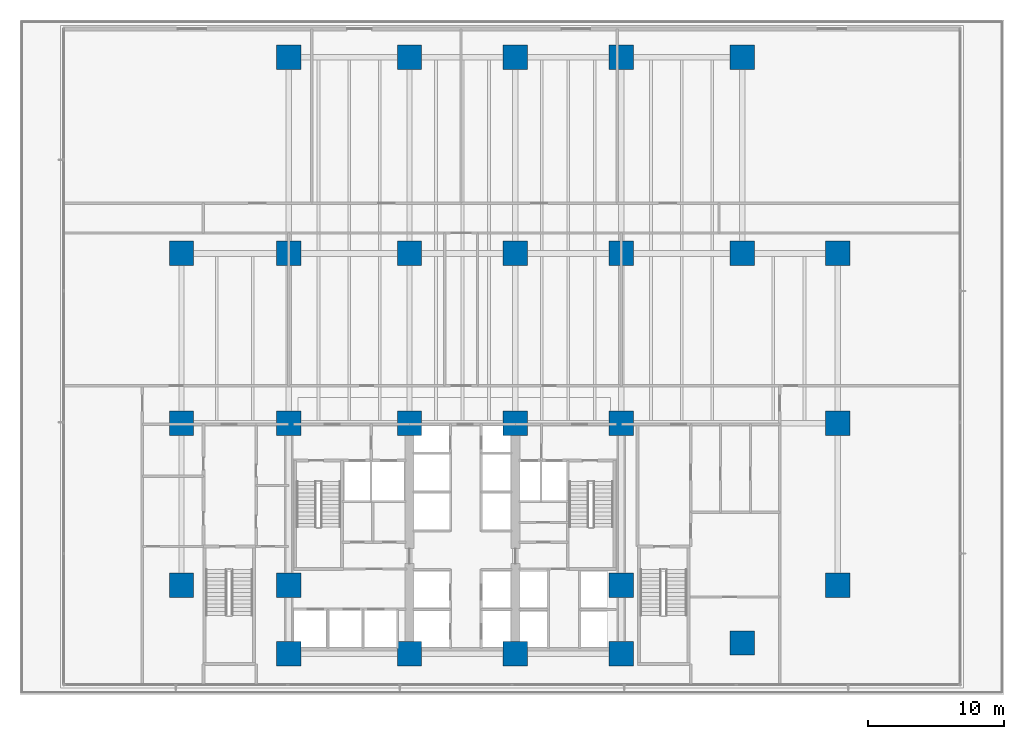
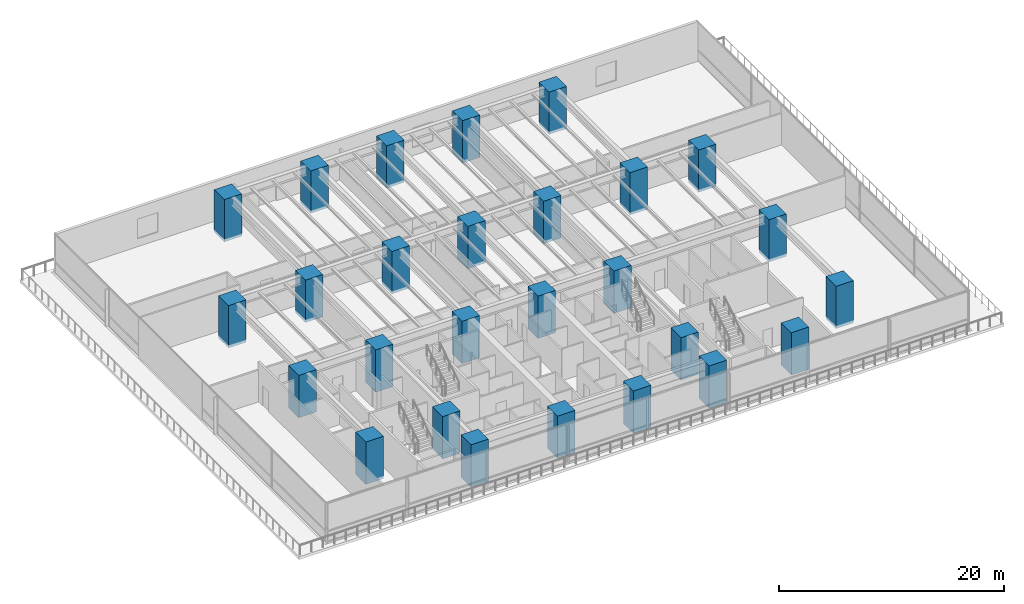
# One storey, part 1 of 24: 27 columns.
"""IFC4 building model written with IfcOpenShell, lengths in metres."""

from ifc_helpers import new_model, si_unit, direction, frame, origin, origin_2d, place, context, subcontext, project, spatial, rectangle, extrude, material, material_profile, profile_set, type_object, element, save


model = new_model("IFC4")

# Units and contexts
model_context = context("Model", 3, precision=1e-05, world=origin(), true_north=direction((0.0, 1.0)))
body_context = subcontext(model_context, "Body", "Model", "MODEL_VIEW")
ifc_project = project(units=[si_unit("LENGTHUNIT", "METRE"), si_unit("AREAUNIT", "SQUARE_METRE"), si_unit("VOLUMEUNIT", "CUBIC_METRE"), si_unit("PLANEANGLEUNIT", "RADIAN"), si_unit("MASSUNIT", "GRAM", prefix="KILO")], contexts=[model_context])

# Site, building, storey
site_placement = place(None, origin())
site = spatial("IfcSite", under=ifc_project, at=site_placement, CompositionType="ELEMENT")
building_placement = place(site_placement, origin())
building = spatial("IfcBuilding", under=site, at=building_placement, Name="Qalmaran Belvedere Hotel", CompositionType="ELEMENT")
storey_placement = place(building_placement, frame((0.0, 0.0, 14.60009765625)))
storey = spatial("IfcBuildingStorey", under=building, at=storey_placement, Name="L03", CompositionType="ELEMENT", Elevation=14.60009765625)

# Columns
ifc_material = material(Name="Concrete C60/75", Category="concrete")
ifc_material_profile = material_profile(ifc_material, rectangle(XDim=1.800048828125, YDim=1.800048828125, at=origin_2d()), Name="MC1800X1800")
ifc_profile_set = profile_set([ifc_material_profile], Name="Concrete C60/75")
column_type = type_object("IfcColumnType", Name="COL-POD-MC1800", PredefinedType="COLUMN", material=ifc_profile_set)
for number, where, z_axis, x_axis, name in (
    (1, (20.300048828125, 3.5, -0.300048828125), (0.0, 0.0, 1.0), (1.0, 0.0, 0.0), "L03 Column C4B"),
    (2, (29.199951171875, 3.5, -0.300048828125), (0.0, 0.0, 1.0), (1.0, 0.0, 0.0), "L03 Column C5B"),
    (3, (37.0, 3.5, -0.300048828125), (0.0, 0.0, 1.0), (1.0, 0.0, 0.0), "L03 Column C6B"),
    (4, (44.800048828125, 3.5, -0.300048828125), (0.0, 0.0, 1.0), (1.0, 0.0, 0.0), "L03 Column C7B"),
    (5, (20.300048828125, 8.550048828125, -0.300048828125), (0.0, 0.0, 1.0), (1.0, 0.0, 0.0), "L03 Column C4C"),
    (6, (44.800048828125, 8.550048828125, -0.300048828125), (0.0, 0.0, 1.0), (1.0, 0.0, 0.0), "L03 Column C7C"),
    (7, (20.300048828125, 20.5, -0.300048828125), (0.0, 0.0, 1.0), (1.0, 0.0, 0.0), "L03 Column C4D"),
    (8, (29.199951171875, 20.5, -0.300048828125), (0.0, 0.0, 1.0), (1.0, 0.0, 0.0), "L03 Column C5D"),
    (9, (37.0, 20.5, -0.300048828125), (0.0, 0.0, 1.0), (1.0, 0.0, 0.0), "L03 Column C6D"),
    (10, (44.800048828125, 20.5, -0.300048828125), (0.0, 0.0, 1.0), (1.0, 0.0, 0.0), "L03 Column C7D"),
    (11, (20.300048828125, 33.0, -0.300048828125), (0.0, 0.0, 1.0), (1.0, 0.0, 0.0), "L03 Column C4F"),
    (12, (29.199951171875, 33.0, -0.300048828125), (0.0, 0.0, 1.0), (1.0, 0.0, 0.0), "L03 Column C5F"),
    (13, (37.0, 33.0, -0.300048828125), (0.0, 0.0, 1.0), (1.0, 0.0, 0.0), "L03 Column C6F"),
    (14, (44.800048828125, 33.0, -0.300048828125), (0.0, 0.0, 1.0), (1.0, 0.0, 0.0), "L03 Column C7F"),
    (15, (12.39990234375, 8.550048828125, -0.300048828125), (0.0, 0.0, 1.0), (1.0, 0.0, 0.0), "L03 Column CW1"),
    (16, (12.39990234375, 20.5, -0.300048828125), (0.0, 0.0, 1.0), (1.0, 0.0, 0.0), "L03 Column CW3"),
    (17, (12.39990234375, 33.0, -0.300048828125), (0.0, 0.0, 1.0), (1.0, 0.0, 0.0), "L03 Column CW4"),
    (18, (20.300048828125, 47.449951171875, -0.300048828125), (0.0, 0.0, 1.0), (1.0, 0.0, 0.0), "L03 Column CN1"),
    (19, (29.199951171875, 47.449951171875, -0.300048828125), (0.0, 0.0, 1.0), (1.0, 0.0, 0.0), "L03 Column CN2"),
    (20, (37.0, 47.449951171875, -0.300048828125), (0.0, 0.0, 1.0), (1.0, 0.0, 0.0), "L03 Column CN3"),
    (21, (44.800048828125, 47.449951171875, -0.300048828125), (0.0, 0.0, 1.0), (1.0, 0.0, 0.0), "L03 Column CN4"),
    (22, (53.699951171875, 47.449951171875, -0.300048828125), (0.0, 0.0, 1.0), (1.0, 0.0, 0.0), "L03 Column CN5"),
    (23, (60.75, 8.550048828125, -0.300048828125), (0.0, 0.0, 1.0), (1.0, 0.0, 0.0), "L03 Column CE1"),
    (24, (60.75, 20.5, -0.300048828125), (0.0, 0.0, 1.0), (1.0, 0.0, 0.0), "L03 Column CE3"),
    (25, (60.75, 33.0, -0.300048828125), (0.0, 0.0, 1.0), (1.0, 0.0, 0.0), "L03 Column CE4"),
    (26, (53.699951171875, 4.300048828125, -0.300048828125), (0.0, 0.0, 1.0), (1.0, 0.0, 0.0), "L03 Column CSE1"),
    (27, (53.699951171875, 33.0, -0.300048828125), (0.0, 0.0, 1.0), (1.0, 0.0, 0.0), "L03 Column CSN5"),
):
    element("IfcColumn", number, at=place(storey_placement, frame(where, z_axis=z_axis, x_axis=x_axis)), inside=storey, type_object=column_type, Name=name, PredefinedType="COLUMN", context=body_context, shape_type="SweptSolid", body=[
        extrude(rectangle(XDim=1.800048828125, YDim=1.800048828125, at=origin_2d()), origin(), (0.0, 0.0, 1.0), 4.599853515625),
    ])

save(model, "model.ifc")
